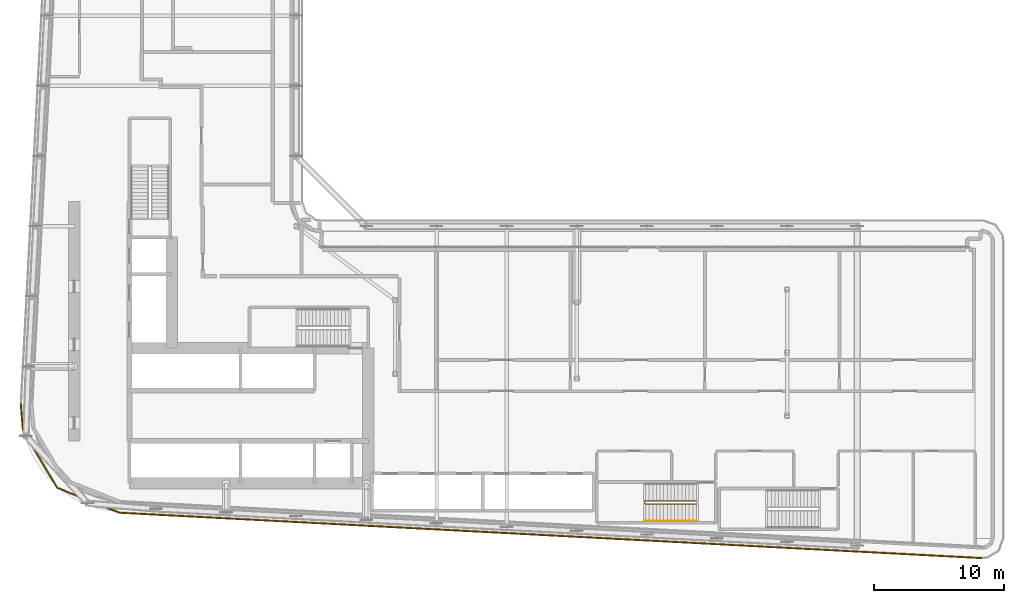
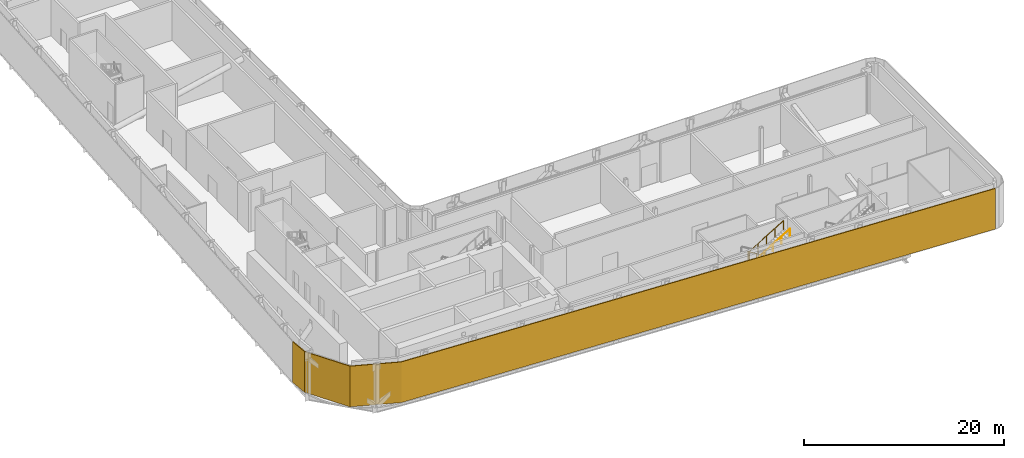
# One storey, part 26 of 30: 2 railings, 1 shading device.
"""IFC4 building model written with IfcOpenShell, lengths in metres."""

from ifc_helpers import new_model, si_unit, direction, frame, origin, origin_2d, place, context, subcontext, project, spatial, polyline, circle, outline, extrude, material, layer, layer_set, type_object, element, save


model = new_model("IFC4")

# Units and contexts
model_context = context("Model", 3, precision=1e-05, world=origin(), true_north=direction((0.0, 1.0)))
body_context = subcontext(model_context, "Body", "Model", "MODEL_VIEW")
ifc_project = project(units=[si_unit("LENGTHUNIT", "METRE"), si_unit("AREAUNIT", "SQUARE_METRE"), si_unit("VOLUMEUNIT", "CUBIC_METRE"), si_unit("PLANEANGLEUNIT", "RADIAN"), si_unit("MASSUNIT", "GRAM", prefix="KILO")], contexts=[model_context])

# Site, building, storey
site_placement = place(None, origin())
site = spatial("IfcSite", under=ifc_project, at=site_placement, CompositionType="ELEMENT")
building_placement = place(site_placement, origin())
building = spatial("IfcBuilding", under=site, at=building_placement, Name="Kheshtan School and Residences Tower", CompositionType="ELEMENT")
storey_placement = place(building_placement, frame((0.0, 0.0, 89.0)))
storey = spatial("IfcBuildingStorey", under=building, at=storey_placement, Name="L20", CompositionType="ELEMENT", Elevation=89.0)

# Shading device
ifc_material_1 = material(Name="Terracotta louvre blades", Category="masonry")
ifc_layer = layer(ifc_material_1, 0.10009765625)
ifc_layer_set = layer_set([ifc_layer], Name="Plant louvre screen")
shading_device_type = type_object("IfcShadingDeviceType", Name="Plant louvre screen", PredefinedType="JALOUSIE", material=ifc_layer_set)
shading_device_placement = place(storey_placement, origin())
element("IfcShadingDevice", 1, at=shading_device_placement, inside=storey, type_object=shading_device_type, Name="Screen L20 5", PredefinedType="JALOUSIE", context=body_context, shape_type="SweptSolid", body=[
    extrude(outline(polyline([(100.4208984375, 20.0830078125), (33.989013671875, 23.580078125), (29.2119140625, 25.486083984375), (26.583984375, 29.906982421875), (26.419921875, 31.989013671875), (26.320068359375, 31.98095703125), (26.486083984375, 29.8759765625), (29.14306640625, 25.406005859375), (33.967041015625, 23.48095703125), (100.416015625, 19.98291015625), (100.4208984375, 20.0830078125)])), origin(), (0.0, 0.0, 1.0), 4.949951171875),
])

# Railings
ifc_material_2 = material(Name="Stainless steel balustrade", Category="steel")
railing_type_1 = type_object("IfcRailingType", Name="Stair guard 1100", PredefinedType="GUARDRAIL", material=ifc_material_2)
railing_1_placement = place(storey_placement, frame((78.409912109375, 24.449951171875, 0.169921875)))
element("IfcRailing", 2, at=railing_1_placement, inside=storey, type_object=railing_type_1, Name="L20 ST5 stair guard 1", PredefinedType="GUARDRAIL", context=body_context, shape_type="SweptSolid", body=[
    extrude(circle(Radius=0.02392578125, at=origin_2d()), frame((0.0, 0.0, 1.076171875), z_axis=(-0.854770645689, 0.0, 0.519005918337), x_axis=(0.0, -1.0, 0.0)), (0.0, 0.0, 1.0), 4.5859375),
    extrude(circle(Radius=0.02392578125, at=origin_2d()), frame((-3.919921875, 0.0, 3.4560546875), z_axis=(-0.707106781187, -0.707106781187, 0.0), x_axis=(0.707106781187, -0.707106781187, 0.0)), (0.0, 0.0, 1.0), 0.07080078125),
    extrude(circle(Radius=0.02392578125, at=origin_2d()), frame((-3.969970703125, -0.050048828125, 3.4560546875), z_axis=(0.0, -1.0, 0.0), x_axis=(1.0, 0.0, 0.0)), (0.0, 0.0, 1.0), 0.14990234375),
    extrude(circle(Radius=0.02392578125, at=origin_2d()), frame((-3.969970703125, -0.199951171875, 3.4560546875), z_axis=(0.271895245746, -0.271895245746, 0.923117517265), x_axis=(0.707106781187, 0.707106781187, 0.0)), (0.0, 0.0, 1.0), 0.18408203125),
    extrude(circle(Radius=0.02392578125, at=origin_2d()), frame((-3.919921875, -0.25, 3.6259765625), z_axis=(0.854770645689, 0.0, 0.519005918337), x_axis=(0.0, 1.0, 0.0)), (0.0, 0.0, 1.0), 4.5859375),
    extrude(circle(Radius=0.02099609375, at=origin_2d()), origin(), (0.0, 0.0, 1.0), 1.052001953125),
    extrude(circle(Radius=0.02099609375, at=origin_2d()), frame((-0.97998046875, 0.0, 0.594970703125)), (0.0, 0.0, 1.0), 1.052001953125),
    extrude(circle(Radius=0.02099609375, at=origin_2d()), frame((-1.9599609375, 0.0, 1.18994140625)), (0.0, 0.0, 1.0), 1.052001953125),
    extrude(circle(Radius=0.02099609375, at=origin_2d()), frame((-2.93994140625, 0.0, 1.78515625)), (0.0, 0.0, 1.0), 1.052001953125),
    extrude(circle(Radius=0.02099609375, at=origin_2d()), frame((-3.919921875, 0.0, 2.380126953125)), (0.0, 0.0, 1.0), 1.052001953125),
    extrude(circle(Radius=0.02099609375, at=origin_2d()), frame((-3.969970703125, -0.050048828125, 2.380126953125)), (0.0, 0.0, 1.0), 1.052001953125),
    extrude(circle(Radius=0.02099609375, at=origin_2d()), frame((-3.969970703125, -0.199951171875, 2.380126953125)), (0.0, 0.0, 1.0), 1.052001953125),
    extrude(circle(Radius=0.02099609375, at=origin_2d()), frame((-3.919921875, -0.25, 2.550048828125)), (0.0, 0.0, 1.0), 1.052001953125),
    extrude(circle(Radius=0.02099609375, at=origin_2d()), frame((-2.93994140625, -0.25, 3.14501953125)), (0.0, 0.0, 1.0), 1.052001953125),
    extrude(circle(Radius=0.02099609375, at=origin_2d()), frame((-1.9599609375, -0.25, 3.740234375)), (0.0, 0.0, 1.0), 1.052001953125),
    extrude(circle(Radius=0.02099609375, at=origin_2d()), frame((-0.97998046875, -0.25, 4.335205078125)), (0.0, 0.0, 1.0), 1.052001953125),
    extrude(circle(Radius=0.02099609375, at=origin_2d()), frame((0.0, -0.25, 4.93017578125)), (0.0, 0.0, 1.0), 1.052001953125),
])
ifc_material_3 = material(Name="Stainless steel handrail", Category="steel")
railing_type_2 = type_object("IfcRailingType", Name="Stair handrail 900", PredefinedType="HANDRAIL", material=ifc_material_3)
railing_2_placement = place(storey_placement, frame((74.489990234375, 22.89990234375, 2.719970703125)))
element("IfcRailing", 3, at=railing_2_placement, inside=storey, type_object=railing_type_2, Name="L20 ST5 stair handrail 2", PredefinedType="HANDRAIL", context=body_context, shape_type="SweptSolid", body=[
    extrude(circle(Radius=0.02392578125, at=origin_2d()), frame((0.0, 0.0, 0.8759765625), z_axis=(0.854770645689, 0.0, 0.519005918337), x_axis=(0.0, 1.0, 0.0)), (0.0, 0.0, 1.0), 4.5859375),
    extrude(circle(Radius=0.02099609375, at=origin_2d()), origin(), (0.0, 0.0, 1.0), 0.851806640625),
    extrude(circle(Radius=0.02099609375, at=origin_2d()), frame((0.97998046875, 0.0, 0.594970703125)), (0.0, 0.0, 1.0), 0.851806640625),
    extrude(circle(Radius=0.02099609375, at=origin_2d()), frame((1.9599609375, 0.0, 1.18994140625)), (0.0, 0.0, 1.0), 0.851806640625),
    extrude(circle(Radius=0.02099609375, at=origin_2d()), frame((2.93994140625, 0.0, 1.78515625)), (0.0, 0.0, 1.0), 0.851806640625),
    extrude(circle(Radius=0.02099609375, at=origin_2d()), frame((3.919921875, 0.0, 2.380126953125)), (0.0, 0.0, 1.0), 0.851806640625),
])

save(model, "model.ifc")
